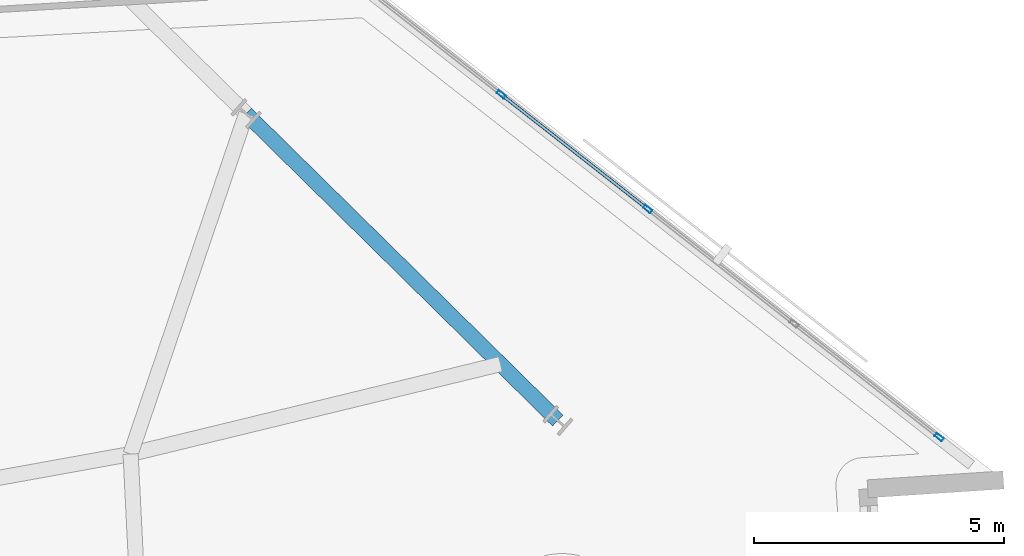
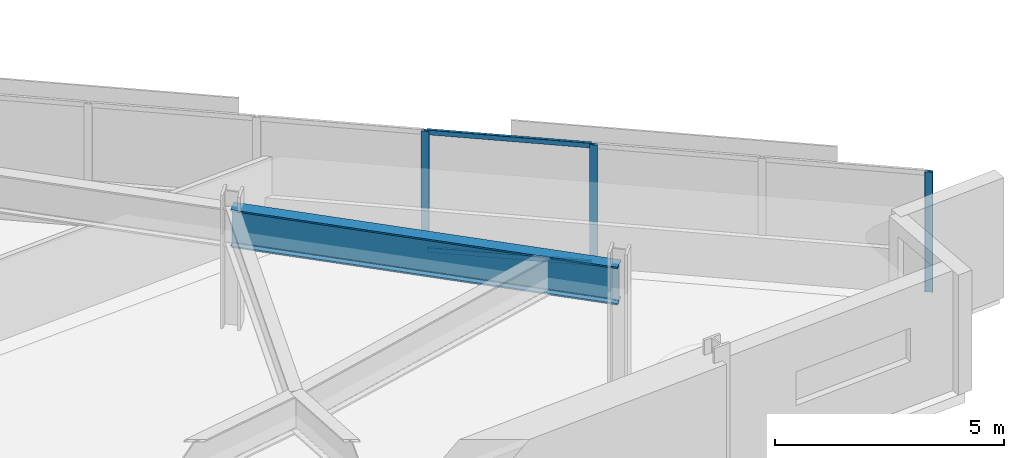
# One storey, part 2 of 15: 5 members, 1 beam, 1 element without a shape of its own.
"""IFC4 building model written with IfcOpenShell, lengths in metres."""

from ifc_helpers import new_model, si_unit, direction, frame, origin, origin_2d, place, context, subcontext, project, spatial, hollow_rectangle, i_section, extrude, material, material_profile, profile_set, type_object, element, aggregate, save


model = new_model("IFC4")

# Units and contexts
model_context = context("Model", 3, precision=1e-05, world=origin(), true_north=direction((0.0, 1.0)))
body_context = subcontext(model_context, "Body", "Model", "MODEL_VIEW")
ifc_project = project(units=[si_unit("LENGTHUNIT", "METRE"), si_unit("AREAUNIT", "SQUARE_METRE"), si_unit("VOLUMEUNIT", "CUBIC_METRE"), si_unit("PLANEANGLEUNIT", "RADIAN"), si_unit("MASSUNIT", "GRAM", prefix="KILO")], contexts=[model_context])

# Site, building, storey
site_placement = place(None, origin())
site = spatial("IfcSite", under=ifc_project, at=site_placement, CompositionType="ELEMENT")
building_placement = place(site_placement, origin())
building = spatial("IfcBuilding", under=site, at=building_placement, Name="Narakoshi Arena Tower", CompositionType="ELEMENT")
storey_placement = place(building_placement, frame((0.0, 0.0, 92.10009765625)))
storey = spatial("IfcBuildingStorey", under=building, at=storey_placement, Name="L24", CompositionType="ELEMENT", Elevation=92.10009765625)

# Beam
ifc_material_1 = material(Name="Structural steel S460ML", Category="steel")
ifc_material_profile_1 = material_profile(ifc_material_1, i_section(OverallWidth=0.302001953125, OverallDepth=1.008056640625, WebThickness=0.02099609375, FlangeThickness=0.0400390625, FilletRadius=0.030029296875, at=origin_2d()), Name="HE1000M")
ifc_profile_set_1 = profile_set([ifc_material_profile_1], Name="Structural steel S460ML")
beam_type = type_object("IfcBeamType", Name="BM-XFER-1000", PredefinedType="BEAM", material=ifc_profile_set_1)
beam_placement = place(storey_placement, frame((113.21630859375, 38.669189453125, 2.69580078125), z_axis=(-0.712519972485, 0.701651828765, 0.0), x_axis=(-0.701651828765, -0.712519972485, 0.0)))
element("IfcBeam", 1, at=beam_placement, inside=storey, type_object=beam_type, Name="L24 Block-Turn Transfer Chord Girder 03", PredefinedType="BEAM", context=body_context, shape_type="SweptSolid", body=[
    extrude(i_section(OverallWidth=0.302001953125, OverallDepth=1.008056640625, WebThickness=0.02099609375, FlangeThickness=0.0400390625, FilletRadius=0.030029296875, at=origin_2d()), origin(), (0.0, 0.0, 1.0), 8.738525390625),
])

# Curtain wall, members
ifc_material_2 = material(Name="Anodised bronze aluminium 6063-T6", Category="aluminium")
curtain_wall_type = type_object("IfcCurtainWallType", Name="CW-HYP-LOW", PredefinedType="NOTDEFINED", material=ifc_material_2)
curtain_wall_placement = place(storey_placement, origin())
curtain_wall = element("IfcCurtainWall", 2, at=curtain_wall_placement, inside=storey, type_object=curtain_wall_type, Name="L24 Folded Hypotenuse Curtain Wall 1-1", PredefinedType="NOTDEFINED")
ifc_material_profile_2 = material_profile(ifc_material_2, hollow_rectangle(XDim=0.074951171875, YDim=0.179931640625, WallThickness=0.00390625, OuterFilletRadius=0.0048828125, at=origin_2d()), Name="MUL180x75x4")
ifc_profile_set_2 = profile_set([ifc_material_profile_2], Name="Anodised bronze aluminium 6063-T6")
member_type_1 = type_object("IfcMemberType", Name="MEM-MUL-180", PredefinedType="MULLION", material=ifc_profile_set_2)
member_1_placement = place(storey_placement, frame((120.83251953125, 38.336181640625, 0.0), z_axis=(0.0, 0.0, 1.0), x_axis=(-0.616456832822, -0.787388705321, 0.0)))
member_1 = element("IfcMember", 3, at=member_1_placement, type_object=member_type_1, Name="CW-01 mullion 1", PredefinedType="MULLION", context=body_context, shape_type="SweptSolid", body=[
    extrude(hollow_rectangle(XDim=0.074951171875, YDim=0.179931640625, WallThickness=0.00390625, OuterFilletRadius=0.0048828125, at=origin_2d()), origin(), (0.0, 0.0, 1.0), 3.199951171875),
])
member_2_placement = place(storey_placement, frame((115.010009765625, 42.894775390625, 0.0), z_axis=(0.0, 0.0, 1.0), x_axis=(-0.616456832822, -0.787388705321, 0.0)))
member_2 = element("IfcMember", 4, at=member_2_placement, type_object=member_type_1, Name="CW-01 mullion 3", PredefinedType="MULLION", context=body_context, shape_type="SweptSolid", body=[
    extrude(hollow_rectangle(XDim=0.074951171875, YDim=0.179931640625, WallThickness=0.00390625, OuterFilletRadius=0.0048828125, at=origin_2d()), origin(), (0.0, 0.0, 1.0), 3.199951171875),
])
member_3_placement = place(storey_placement, frame((112.083984375, 45.185546875, 0.0), z_axis=(0.0, 0.0, 1.0), x_axis=(-0.616456832822, -0.787388705321, 0.0)))
member_3 = element("IfcMember", 5, at=member_3_placement, type_object=member_type_1, Name="CW-01 mullion 4", PredefinedType="MULLION", context=body_context, shape_type="SweptSolid", body=[
    extrude(hollow_rectangle(XDim=0.074951171875, YDim=0.179931640625, WallThickness=0.00390625, OuterFilletRadius=0.0048828125, at=origin_2d()), origin(), (0.0, 0.0, 1.0), 3.199951171875),
])
ifc_material_profile_3 = material_profile(ifc_material_2, hollow_rectangle(XDim=0.06494140625, YDim=0.1298828125, WallThickness=0.00390625, OuterFilletRadius=0.0048828125, at=origin_2d()), Name="TRN130x65x4")
ifc_profile_set_3 = profile_set([ifc_material_profile_3], Name="Anodised bronze aluminium 6063-T6")
member_type_2 = type_object("IfcMemberType", Name="MEM-TRN-130", PredefinedType="USERDEFINED", material=ifc_profile_set_3)
member_4_placement = place(storey_placement, frame((114.98046875, 42.917724609375, 0.032470703125), z_axis=(-0.787380472788, 0.616467347936, 0.0), x_axis=(-0.616467347936, -0.787380472788, 0.0)))
member_4 = element("IfcMember", 6, at=member_4_placement, type_object=member_type_2, Name="CW-01 transom 3.1", ObjectType="TRANSOM", PredefinedType="USERDEFINED", context=body_context, shape_type="SweptSolid", body=[
    extrude(hollow_rectangle(XDim=0.06494140625, YDim=0.1298828125, WallThickness=0.00390625, OuterFilletRadius=0.0048828125, at=origin_2d()), origin(), (0.0, 0.0, 1.0), 3.64111328125),
])
member_5_placement = place(storey_placement, frame((114.98046875, 42.917724609375, 3.16748046875), z_axis=(-0.787380472788, 0.616467347936, 0.0), x_axis=(-0.616467347936, -0.787380472788, 0.0)))
member_5 = element("IfcMember", 7, at=member_5_placement, type_object=member_type_2, Name="CW-01 transom 3.2", ObjectType="TRANSOM", PredefinedType="USERDEFINED", context=body_context, shape_type="SweptSolid", body=[
    extrude(hollow_rectangle(XDim=0.06494140625, YDim=0.1298828125, WallThickness=0.00390625, OuterFilletRadius=0.0048828125, at=origin_2d()), origin(), (0.0, 0.0, 1.0), 3.64111328125),
])
aggregate(curtain_wall, [member_1, member_2, member_3, member_4, member_5])

save(model, "model.ifc")
